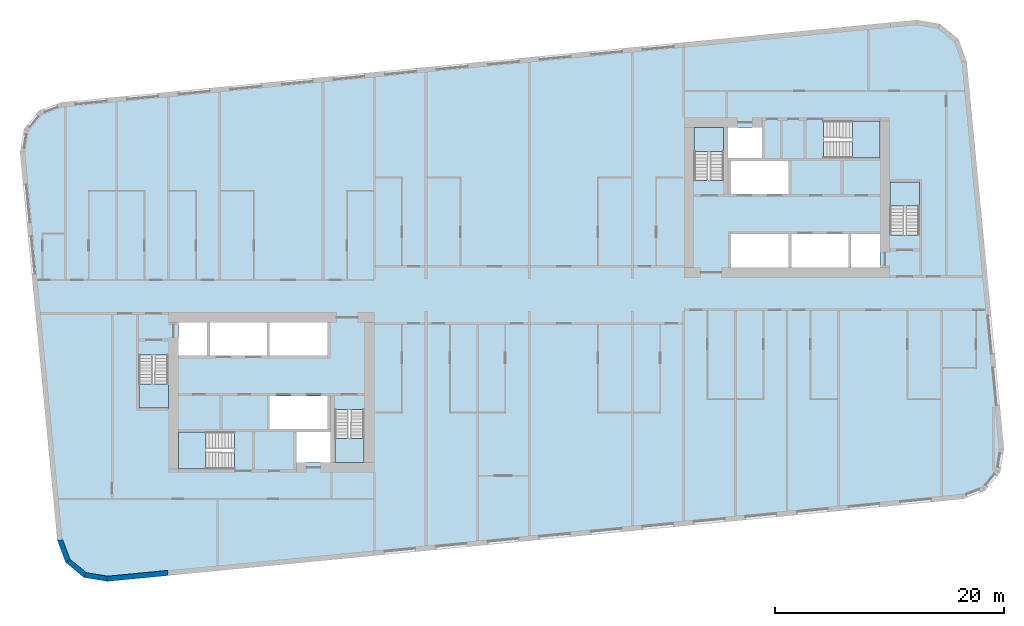
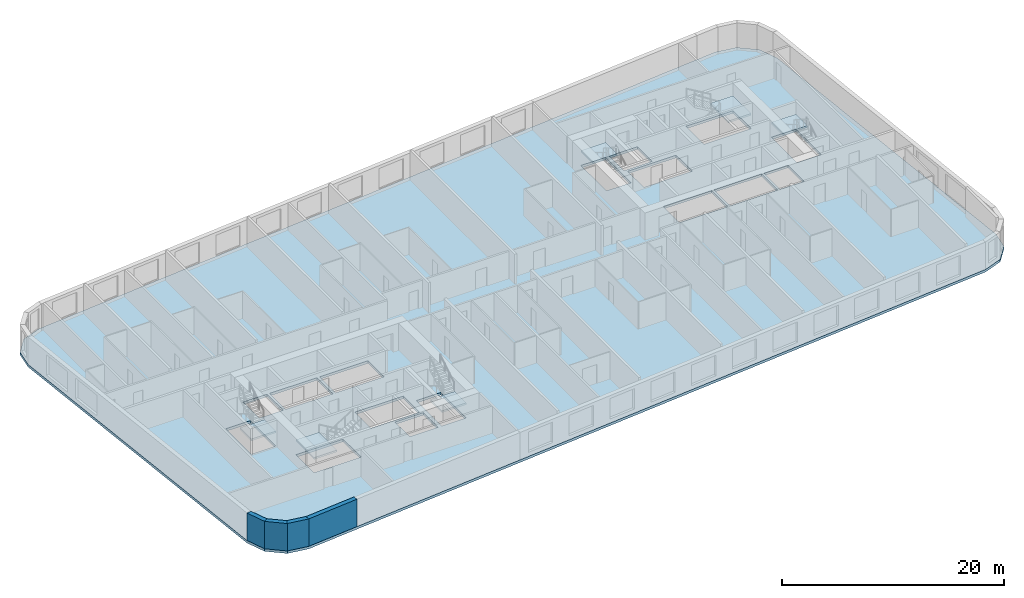
# One storey, part 1 of 12: 7 slabs, 4 walls, 6 elements without a shape of their own.
"""IFC4 building model written with IfcOpenShell, lengths in metres."""

from ifc_helpers import new_model, si_unit, direction, frame, frame_2d, origin, place, context, subcontext, project, spatial, polyline, rectangle, outline, extrude, material, layer, layer_set, type_object, element, aggregate, save


model = new_model("IFC4")

# Units and contexts
model_context = context("Model", 3, precision=1e-05, world=origin(), true_north=direction((0.0, 1.0)))
body_context = subcontext(model_context, "Body", "Model", "MODEL_VIEW")
ifc_project = project(units=[si_unit("LENGTHUNIT", "METRE"), si_unit("AREAUNIT", "SQUARE_METRE"), si_unit("VOLUMEUNIT", "CUBIC_METRE"), si_unit("PLANEANGLEUNIT", "RADIAN"), si_unit("MASSUNIT", "GRAM", prefix="KILO")], contexts=[model_context])

# Site, building, storey
site_placement = place(None, origin())
site = spatial("IfcSite", under=ifc_project, at=site_placement, CompositionType="ELEMENT")
building_placement = place(site_placement, origin())
building = spatial("IfcBuilding", under=site, at=building_placement, Name="Kajstack Hotel Tower", CompositionType="ELEMENT")
storey_placement = place(building_placement, frame((0.0, 0.0, 199.89990234375)))
storey = spatial("IfcBuildingStorey", under=building, at=storey_placement, Name="L48", CompositionType="ELEMENT", Elevation=199.89990234375)

# Slab
ifc_material_1 = material(Name="Concrete C40/50", Category="concrete")
ifc_layer_1 = layer(ifc_material_1, 0.280029296875)
ifc_layer_set_1 = layer_set([ifc_layer_1], Name="RC slab 280 C40/50 guest")
slab_type_1 = type_object("IfcSlabType", Name="RC slab 280 C40/50 guest", PredefinedType="FLOOR", material=ifc_layer_set_1)
slab_1_placement = place(storey_placement, frame((0.0, 0.0, -0.27978515625)))
element("IfcSlab", 1, at=slab_1_placement, inside=storey, type_object=slab_type_1, Name="S-slab-L48", PredefinedType="FLOOR", context=body_context, shape_type="SweptSolid", body=[
    extrude(outline(polyline([(-44.438232421875, 12.444091796875), (-41.1796875, -21.3994140625), (-40.454345703125, -23.3388671875), (-38.856689453125, -24.65576171875), (-36.814697265625, -24.99755859375), (37.840087890625, -17.80908203125), (39.779541015625, -17.083984375), (41.0966796875, -15.486328125), (41.438232421875, -13.444091796875), (38.1796875, 20.3994140625), (37.454345703125, 22.3388671875), (35.856689453125, 23.65576171875), (33.814697265625, 23.99755859375), (-40.840087890625, 16.80908203125), (-42.779541015625, 16.083984375), (-44.0966796875, 14.486328125), (-44.438232421875, 12.444091796875)]), holes=[polyline([(-22.64990234375, -11.699951171875), (-22.64990234375, -8.800048828125), (-17.60009765625, -8.800048828125), (-17.60009765625, -11.699951171875), (-22.64990234375, -11.699951171875)]), polyline([(-27.85009765625, -5.300048828125), (-27.85009765625, -2.39990234375), (-22.89990234375, -2.39990234375), (-22.89990234375, -5.300048828125), (-27.85009765625, -5.300048828125)]), polyline([(-22.64990234375, -5.300048828125), (-22.64990234375, -2.39990234375), (-17.60009765625, -2.39990234375), (-17.60009765625, -5.300048828125), (-22.64990234375, -5.300048828125)]), polyline([(-20.300048828125, -14.60009765625), (-17.35009765625, -14.60009765625), (-17.35009765625, -11.949951171875), (-20.300048828125, -11.949951171875), (-20.300048828125, -14.60009765625)]), polyline([(-30.60009765625, -5.300048828125), (-28.10009765625, -5.300048828125), (-28.10009765625, -2.39990234375), (-30.60009765625, -2.39990234375), (-30.60009765625, -5.300048828125)]), polyline([(17.60009765625, 8.800048828125), (17.60009765625, 11.699951171875), (22.64990234375, 11.699951171875), (22.64990234375, 8.800048828125), (17.60009765625, 8.800048828125)]), polyline([(22.89990234375, 2.39990234375), (22.89990234375, 5.300048828125), (27.85009765625, 5.300048828125), (27.85009765625, 2.39990234375), (22.89990234375, 2.39990234375)]), polyline([(17.60009765625, 2.39990234375), (17.60009765625, 5.300048828125), (22.64990234375, 5.300048828125), (22.64990234375, 2.39990234375), (17.60009765625, 2.39990234375)]), polyline([(20.300048828125, 14.60009765625), (17.35009765625, 14.60009765625), (17.35009765625, 11.949951171875), (20.300048828125, 11.949951171875), (20.300048828125, 14.60009765625)]), polyline([(30.60009765625, 5.300048828125), (28.10009765625, 5.300048828125), (28.10009765625, 2.39990234375), (30.60009765625, 2.39990234375), (30.60009765625, 5.300048828125)]), polyline([(-34.050048828125, -9.85009765625), (-31.5, -9.85009765625), (-31.5, -5.25), (-34.050048828125, -5.25), (-34.050048828125, -9.85009765625)]), polyline([(-16.949951171875, -14.60009765625), (-14.39990234375, -14.60009765625), (-14.39990234375, -10.0), (-16.949951171875, -10.0), (-16.949951171875, -14.60009765625)]), polyline([(-30.60009765625, -15.199951171875), (-25.699951171875, -15.199951171875), (-25.699951171875, -11.949951171875), (-30.60009765625, -11.949951171875), (-30.60009765625, -15.199951171875)]), polyline([(34.050048828125, 9.85009765625), (31.5, 9.85009765625), (31.5, 5.25), (34.050048828125, 5.25), (34.050048828125, 9.85009765625)]), polyline([(16.949951171875, 14.60009765625), (14.39990234375, 14.60009765625), (14.39990234375, 10.0), (16.949951171875, 10.0), (16.949951171875, 14.60009765625)]), polyline([(30.60009765625, 15.199951171875), (25.699951171875, 15.199951171875), (25.699951171875, 11.949951171875), (30.60009765625, 11.949951171875), (30.60009765625, 15.199951171875)])]), origin(), (0.0, 0.0, 1.0), 0.27978515625),
])

# Stair, slab
stair_type_1 = type_object("IfcStairType", Name="Exit stair 1200", PredefinedType="HALF_TURN_STAIR", material=ifc_material_1)
stair_1_placement = place(storey_placement, origin())
stair_1 = element("IfcStair", 2, at=stair_1_placement, inside=storey, type_object=stair_type_1, Name="L48 stair W1", PredefinedType="HALF_TURN_STAIR")
ifc_layer_2 = layer(ifc_material_1, 0.199951171875)
ifc_layer_set_2 = layer_set([ifc_layer_2], Name="Stair landing 200")
slab_type_2 = type_object("IfcSlabType", Name="Stair landing 200", PredefinedType="LANDING", material=ifc_layer_set_2)
slab_2_placement = place(storey_placement, frame((0.0, 0.0, 1.4501953125)))
slab_2 = element("IfcSlab", 3, at=slab_2_placement, type_object=slab_type_2, Name="W1 landing 1", PredefinedType="LANDING", context=body_context, shape_type="SweptSolid", body=[
    extrude(outline(polyline([(-34.050048828125, -7.77001953125), (-34.050048828125, -9.85009765625), (-31.5, -9.85009765625), (-31.5, -7.77001953125), (-34.050048828125, -7.77001953125)])), origin(), (0.0, 0.0, 1.0), 0.199951171875),
])
aggregate(stair_1, [slab_2])

stair_2_placement = place(storey_placement, origin())
stair_2 = element("IfcStair", 4, at=stair_2_placement, inside=storey, type_object=stair_type_1, Name="L48 stair W2", PredefinedType="HALF_TURN_STAIR")
slab_3_placement = place(storey_placement, frame((0.0, 0.0, 1.4501953125)))
slab_3 = element("IfcSlab", 5, at=slab_3_placement, type_object=slab_type_2, Name="W2 landing 1", PredefinedType="LANDING", context=body_context, shape_type="SweptSolid", body=[
    extrude(outline(polyline([(-16.949951171875, -12.52001953125), (-16.949951171875, -14.60009765625), (-14.39990234375, -14.60009765625), (-14.39990234375, -12.52001953125), (-16.949951171875, -12.52001953125)])), origin(), (0.0, 0.0, 1.0), 0.199951171875),
])
aggregate(stair_2, [slab_3])

stair_type_2 = type_object("IfcStairType", Name="Exit stair 1500", PredefinedType="HALF_TURN_STAIR", material=ifc_material_1)
stair_3_placement = place(storey_placement, origin())
stair_3 = element("IfcStair", 6, at=stair_3_placement, inside=storey, type_object=stair_type_2, Name="L48 stair W3", PredefinedType="HALF_TURN_STAIR")
slab_4_placement = place(storey_placement, frame((0.0, 0.0, 1.4501953125)))
slab_4 = element("IfcSlab", 7, at=slab_4_placement, type_object=slab_type_2, Name="W3 landing 1", PredefinedType="LANDING", context=body_context, shape_type="SweptSolid", body=[
    extrude(outline(polyline([(-28.219970703125, -11.949951171875), (-30.60009765625, -11.949951171875), (-30.60009765625, -15.199951171875), (-28.219970703125, -15.199951171875), (-28.219970703125, -11.949951171875)])), origin(), (0.0, 0.0, 1.0), 0.199951171875),
])
aggregate(stair_3, [slab_4])

stair_4_placement = place(storey_placement, origin())
stair_4 = element("IfcStair", 8, at=stair_4_placement, inside=storey, type_object=stair_type_1, Name="L48 stair E1", PredefinedType="HALF_TURN_STAIR")
slab_5_placement = place(storey_placement, frame((0.0, 0.0, 1.4501953125)))
slab_5 = element("IfcSlab", 9, at=slab_5_placement, type_object=slab_type_2, Name="E1 landing 1", PredefinedType="LANDING", context=body_context, shape_type="SweptSolid", body=[
    extrude(outline(polyline([(34.050048828125, 7.77001953125), (34.050048828125, 9.85009765625), (31.5, 9.85009765625), (31.5, 7.77001953125), (34.050048828125, 7.77001953125)])), origin(), (0.0, 0.0, 1.0), 0.199951171875),
])
aggregate(stair_4, [slab_5])

stair_5_placement = place(storey_placement, origin())
stair_5 = element("IfcStair", 10, at=stair_5_placement, inside=storey, type_object=stair_type_1, Name="L48 stair E2", PredefinedType="HALF_TURN_STAIR")
slab_6_placement = place(storey_placement, frame((0.0, 0.0, 1.4501953125)))
slab_6 = element("IfcSlab", 11, at=slab_6_placement, type_object=slab_type_2, Name="E2 landing 1", PredefinedType="LANDING", context=body_context, shape_type="SweptSolid", body=[
    extrude(outline(polyline([(16.949951171875, 12.52001953125), (16.949951171875, 14.60009765625), (14.39990234375, 14.60009765625), (14.39990234375, 12.52001953125), (16.949951171875, 12.52001953125)])), origin(), (0.0, 0.0, 1.0), 0.199951171875),
])
aggregate(stair_5, [slab_6])

stair_6_placement = place(storey_placement, origin())
stair_6 = element("IfcStair", 12, at=stair_6_placement, inside=storey, type_object=stair_type_2, Name="L48 stair E3", PredefinedType="HALF_TURN_STAIR")
slab_7_placement = place(storey_placement, frame((0.0, 0.0, 1.4501953125)))
slab_7 = element("IfcSlab", 13, at=slab_7_placement, type_object=slab_type_2, Name="E3 landing 1", PredefinedType="LANDING", context=body_context, shape_type="SweptSolid", body=[
    extrude(outline(polyline([(28.219970703125, 11.949951171875), (30.60009765625, 11.949951171875), (30.60009765625, 15.199951171875), (28.219970703125, 15.199951171875), (28.219970703125, 11.949951171875)])), origin(), (0.0, 0.0, 1.0), 0.199951171875),
])
aggregate(stair_6, [slab_7])

# Walls
ifc_material_2 = material(Name="Terracotta-faced brick masonry", Category="masonry")
ifc_layer_3 = layer(ifc_material_2, 0.449951171875)
ifc_layer_set_3 = layer_set([ifc_layer_3], Name="EW-TERRA")
wall_type = type_object("IfcWallType", Name="EW-TERRA", PredefinedType="SOLIDWALL", material=ifc_layer_set_3)
wall_1_placement = place(storey_placement, frame((-40.96875, -21.320556640625, 0.0), z_axis=(0.0, 0.0, 1.0), x_axis=(0.350192909346, -0.936677599948, 0.0)))
element("IfcWall", 14, at=wall_1_placement, inside=storey, type_object=wall_type, Name="E-wall-L48-01-00", PredefinedType="SOLIDWALL", context=body_context, shape_type="SweptSolid", body=[
    extrude(outline(polyline([(0.0, -0.22509765625), (2.070556640625, -0.22509765625), (1.949951171875, 0.22509765625), (0.12060546875, 0.224853515625), (0.0, -0.22509765625)])), origin(), (0.0, 0.0, 1.0), 3.02001953125),
])
wall_2_placement = place(storey_placement, frame((-40.311279296875, -23.165283203125, 0.0), z_axis=(0.0, 0.0, 1.0), x_axis=(0.771651049663, -0.636046112757, 0.0)))
element("IfcWall", 15, at=wall_2_placement, inside=storey, type_object=wall_type, Name="E-wall-L48-02-00", PredefinedType="SOLIDWALL", context=body_context, shape_type="SweptSolid", body=[
    extrude(outline(polyline([(0.0, -0.224853515625), (2.0703125, -0.22509765625), (1.94970703125, 0.224853515625), (0.12060546875, 0.22509765625), (0.0, -0.224853515625)])), origin(), (0.0, 0.0, 1.0), 3.02001953125),
])
wall_3_placement = place(storey_placement, frame((-38.819580078125, -24.433837890625, 0.0), z_axis=(0.0, 0.0, 1.0), x_axis=(0.986278951104, -0.165087342366, 0.0)))
element("IfcWall", 16, at=wall_3_placement, inside=storey, type_object=wall_type, Name="E-wall-L48-03-00", PredefinedType="SOLIDWALL", context=body_context, shape_type="SweptSolid", body=[
    extrude(outline(polyline([(0.0, -0.22509765625), (2.070556640625, -0.224853515625), (1.949951171875, 0.22509765625), (0.12060546875, 0.224853515625), (0.0, -0.22509765625)])), origin(), (0.0, 0.0, 1.0), 3.02001953125),
])
wall_4_placement = place(storey_placement, frame((-36.836181640625, -24.7734375, 0.0), z_axis=(0.0, 0.0, 1.0), x_axis=(0.995396705659, 0.095840483948, 0.0)))
element("IfcWall", 17, at=wall_4_placement, inside=storey, type_object=wall_type, Name="E-wall-L48-04-00", PredefinedType="SOLIDWALL", context=body_context, shape_type="SweptSolid", body=[
    extrude(rectangle(XDim=5.33935546875, YDim=0.449951171875, at=frame_2d((2.669677734375, 0.0))), origin(), (0.0, 0.0, 1.0), 3.02001953125),
])

save(model, "model.ifc")
